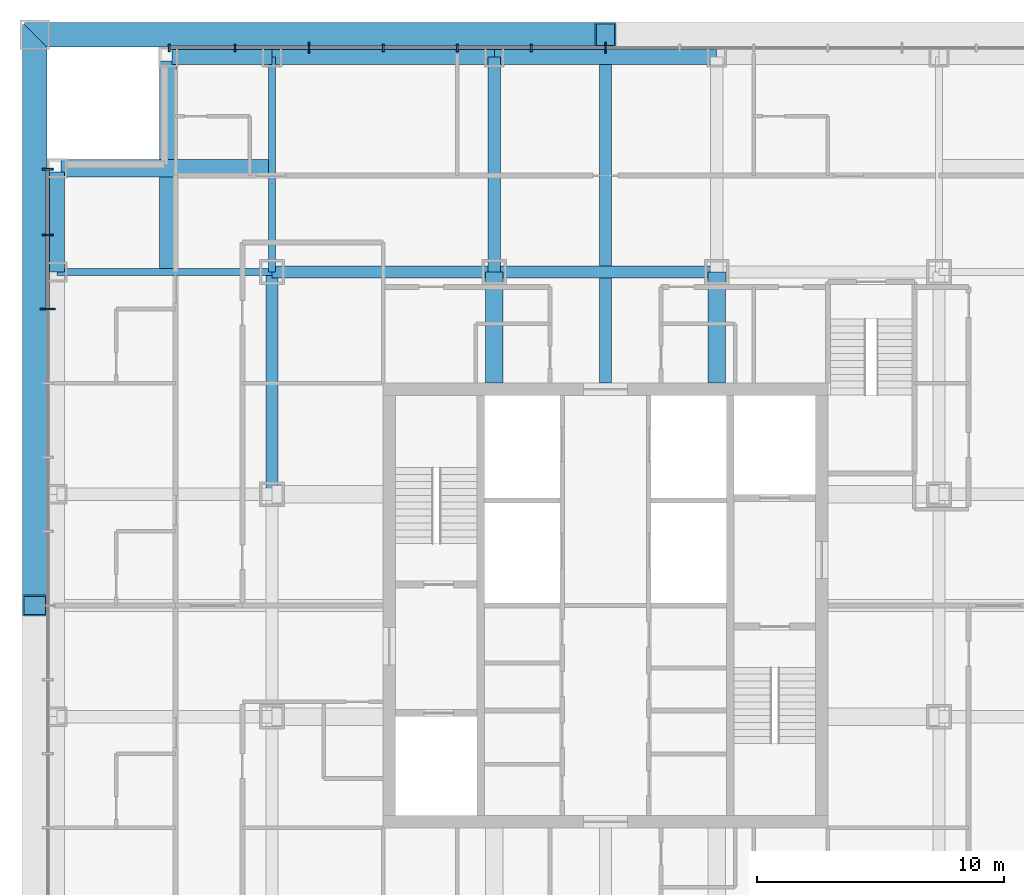
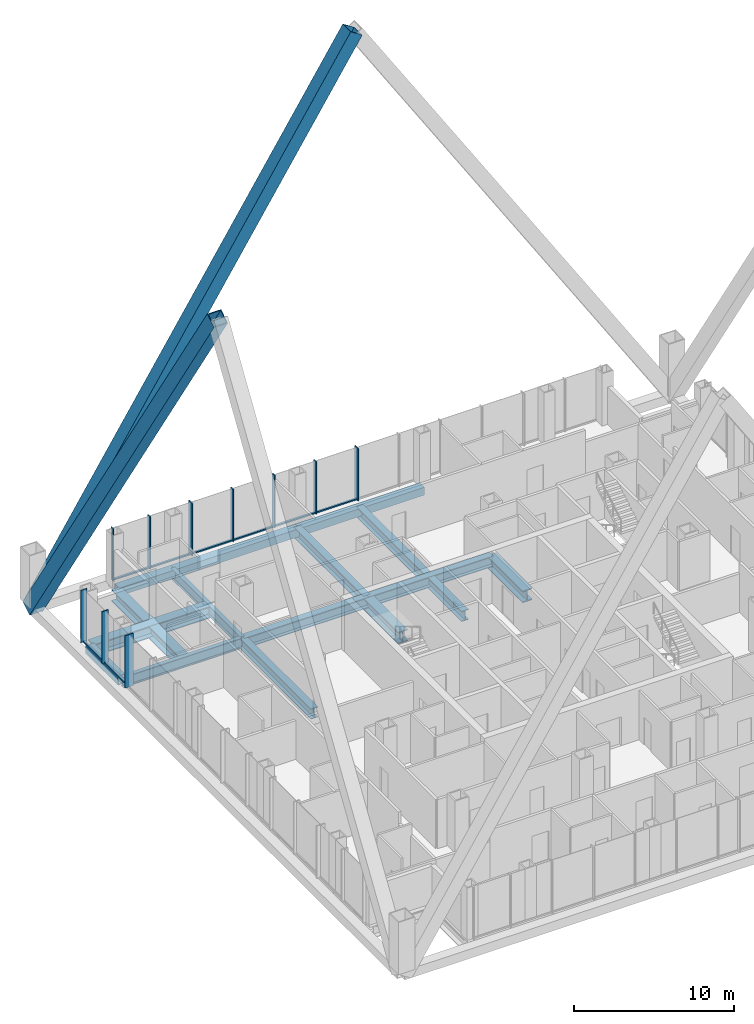
# One storey, part 7 of 16: 20 members, 15 beams, 2 elements without a shape of their own.
"""IFC4 building model written with IfcOpenShell, lengths in metres."""

from ifc_helpers import new_model, si_unit, direction, frame, origin, origin_2d, place, context, subcontext, project, spatial, rectangle, hollow_rectangle, i_section, extrude, material, layer, layer_set, material_profile, profile_set, type_object, element, aggregate, save


model = new_model("IFC4")

# Units and contexts
model_context = context("Model", 3, precision=1e-05, world=origin(), true_north=direction((0.0, 1.0)))
body_context = subcontext(model_context, "Body", "Model", "MODEL_VIEW")
ifc_project = project(units=[si_unit("LENGTHUNIT", "METRE"), si_unit("AREAUNIT", "SQUARE_METRE"), si_unit("VOLUMEUNIT", "CUBIC_METRE"), si_unit("PLANEANGLEUNIT", "RADIAN"), si_unit("MASSUNIT", "GRAM", prefix="KILO")], contexts=[model_context])

# Site, building, storey
site_placement = place(None, origin())
site = spatial("IfcSite", under=ifc_project, at=site_placement, CompositionType="ELEMENT")
building_placement = place(site_placement, origin())
building = spatial("IfcBuilding", under=site, at=building_placement, Name="Malebo Sky Hospital", CompositionType="ELEMENT")
storey_placement = place(building_placement, frame((0.0, 0.0, 209.0)))
storey = spatial("IfcBuildingStorey", under=building, at=storey_placement, Name="L50", CompositionType="ELEMENT", Elevation=209.0)

# Curtain wall, members
ifc_material_1 = material(Name="Anodised aluminium, natural silver", Category="aluminium")
ifc_layer_1 = layer(ifc_material_1, 0.25)
ifc_layer_set_1 = layer_set([ifc_layer_1], Name="WARD CURTAIN WALL NORTH AND SOUTH")
curtain_wall_type_1 = type_object("IfcCurtainWallType", Name="WARD CURTAIN WALL NORTH AND SOUTH", PredefinedType="NOTDEFINED", material=ifc_layer_set_1)
curtain_wall_1_placement = place(storey_placement, origin())
curtain_wall_1 = element("IfcCurtainWall", 1, at=curtain_wall_1_placement, inside=storey, type_object=curtain_wall_type_1, Name="NS curtain wall N", PredefinedType="NOTDEFINED")
ifc_material_profile_1 = material_profile(ifc_material_1, rectangle(XDim=0.14990234375, YDim=0.10009765625, at=origin_2d()), Name="ALUMINIUM TRANSOM 150x100")
ifc_profile_set_1 = profile_set([ifc_material_profile_1], Name="Anodised aluminium, natural silver")
member_type_1 = type_object("IfcMemberType", Name="ALUMINIUM TRANSOM 150x100", PredefinedType="USERDEFINED", material=ifc_profile_set_1)
member_1_placement = place(storey_placement, frame((42.375, 84.574951171875, 0.050048828125), z_axis=(1.0, 0.0, 0.0), x_axis=(0.0, 1.0, 0.0)))
member_1 = element("IfcMember", 2, at=member_1_placement, type_object=member_type_1, Name="Transom 1", ObjectType="TRANSOM", PredefinedType="USERDEFINED", context=body_context, shape_type="SweptSolid", body=[
    extrude(rectangle(XDim=0.14990234375, YDim=0.10009765625, at=origin_2d()), origin(), (0.0, 0.0, 1.0), 2.58740234375),
])
member_2_placement = place(storey_placement, frame((45.03759765625, 84.574951171875, 0.050048828125), z_axis=(1.0, 0.0, 0.0), x_axis=(0.0, 1.0, 0.0)))
member_2 = element("IfcMember", 3, at=member_2_placement, type_object=member_type_1, Name="Transom 2", ObjectType="TRANSOM", PredefinedType="USERDEFINED", context=body_context, shape_type="SweptSolid", body=[
    extrude(rectangle(XDim=0.14990234375, YDim=0.10009765625, at=origin_2d()), origin(), (0.0, 0.0, 1.0), 2.9248046875),
])
member_3_placement = place(storey_placement, frame((48.03759765625, 84.574951171875, 0.050048828125), z_axis=(1.0, 0.0, 0.0), x_axis=(0.0, 1.0, 0.0)))
member_3 = element("IfcMember", 4, at=member_3_placement, type_object=member_type_1, Name="Transom 3", ObjectType="TRANSOM", PredefinedType="USERDEFINED", context=body_context, shape_type="SweptSolid", body=[
    extrude(rectangle(XDim=0.14990234375, YDim=0.10009765625, at=origin_2d()), origin(), (0.0, 0.0, 1.0), 2.9248046875),
])
member_4_placement = place(storey_placement, frame((51.03759765625, 84.574951171875, 0.050048828125), z_axis=(1.0, 0.0, 0.0), x_axis=(0.0, 1.0, 0.0)))
member_4 = element("IfcMember", 5, at=member_4_placement, type_object=member_type_1, Name="Transom 4", ObjectType="TRANSOM", PredefinedType="USERDEFINED", context=body_context, shape_type="SweptSolid", body=[
    extrude(rectangle(XDim=0.14990234375, YDim=0.10009765625, at=origin_2d()), origin(), (0.0, 0.0, 1.0), 2.9248046875),
])
member_5_placement = place(storey_placement, frame((54.03759765625, 84.574951171875, 0.050048828125), z_axis=(1.0, 0.0, 0.0), x_axis=(0.0, 1.0, 0.0)))
member_5 = element("IfcMember", 6, at=member_5_placement, type_object=member_type_1, Name="Transom 5", ObjectType="TRANSOM", PredefinedType="USERDEFINED", context=body_context, shape_type="SweptSolid", body=[
    extrude(rectangle(XDim=0.14990234375, YDim=0.10009765625, at=origin_2d()), origin(), (0.0, 0.0, 1.0), 2.9248046875),
])
member_6_placement = place(storey_placement, frame((57.03759765625, 84.574951171875, 0.050048828125), z_axis=(1.0, 0.0, 0.0), x_axis=(0.0, 1.0, 0.0)))
member_6 = element("IfcMember", 7, at=member_6_placement, type_object=member_type_1, Name="Transom 6", ObjectType="TRANSOM", PredefinedType="USERDEFINED", context=body_context, shape_type="SweptSolid", body=[
    extrude(rectangle(XDim=0.14990234375, YDim=0.10009765625, at=origin_2d()), origin(), (0.0, 0.0, 1.0), 2.9248046875),
])

ifc_layer_2 = layer(ifc_material_1, 0.25)
ifc_layer_set_2 = layer_set([ifc_layer_2], Name="WARD CURTAIN WALL EAST AND WEST")
curtain_wall_type_2 = type_object("IfcCurtainWallType", Name="WARD CURTAIN WALL EAST AND WEST", PredefinedType="NOTDEFINED", material=ifc_layer_set_2)
curtain_wall_2_placement = place(storey_placement, origin())
curtain_wall_2 = element("IfcCurtainWall", 8, at=curtain_wall_2_placement, inside=storey, type_object=curtain_wall_type_2, Name="EW curtain wall W", PredefinedType="NOTDEFINED")
member_7_placement = place(storey_placement, frame((37.425048828125, 74.03759765625, 0.050048828125), z_axis=(0.0, 1.0, 0.0), x_axis=(-1.0, 0.0, 0.0)))
member_7 = element("IfcMember", 9, at=member_7_placement, type_object=member_type_1, Name="Transom 11", ObjectType="TRANSOM", PredefinedType="USERDEFINED", context=body_context, shape_type="SweptSolid", body=[
    extrude(rectangle(XDim=0.14990234375, YDim=0.10009765625, at=origin_2d()), origin(), (0.0, 0.0, 1.0), 2.9248046875),
])
member_8_placement = place(storey_placement, frame((37.425048828125, 77.03759765625, 0.050048828125), z_axis=(0.0, 1.0, 0.0), x_axis=(-1.0, 0.0, 0.0)))
member_8 = element("IfcMember", 10, at=member_8_placement, type_object=member_type_1, Name="Transom 12", ObjectType="TRANSOM", PredefinedType="USERDEFINED", context=body_context, shape_type="SweptSolid", body=[
    extrude(rectangle(XDim=0.14990234375, YDim=0.10009765625, at=origin_2d()), origin(), (0.0, 0.0, 1.0), 2.58740234375),
])

# Member
ifc_material_profile_2 = material_profile(ifc_material_1, rectangle(XDim=0.074951171875, YDim=0.300048828125, at=origin_2d()), Name="CW1 ALUMINIUM FIN MULLION 75x300")
ifc_profile_set_2 = profile_set([ifc_material_profile_2], Name="Anodised aluminium, natural silver")
member_type_2 = type_object("IfcMemberType", Name="CW1 ALUMINIUM FIN MULLION 75x300", PredefinedType="MULLION", material=ifc_profile_set_2)
member_9_placement = place(storey_placement, frame((42.33740234375, 84.574951171875, 0.0), z_axis=(0.0, 0.0, 1.0), x_axis=(1.0, 0.0, 0.0)))
member_9 = element("IfcMember", 11, at=member_9_placement, type_object=member_type_2, Name="Fin mullion 1", PredefinedType="MULLION", context=body_context, shape_type="SweptSolid", body=[
    extrude(rectangle(XDim=0.074951171875, YDim=0.300048828125, at=origin_2d()), origin(), (0.0, 0.0, 1.0), 4.0),
])

member_10_placement = place(storey_placement, frame((45.0, 84.574951171875, 0.0), z_axis=(0.0, 0.0, 1.0), x_axis=(1.0, 0.0, 0.0)))
member_10 = element("IfcMember", 12, at=member_10_placement, type_object=member_type_2, Name="Fin mullion 2", PredefinedType="MULLION", context=body_context, shape_type="SweptSolid", body=[
    extrude(rectangle(XDim=0.074951171875, YDim=0.300048828125, at=origin_2d()), origin(), (0.0, 0.0, 1.0), 4.0),
])

member_11_placement = place(storey_placement, frame((51.0, 84.574951171875, 0.0), z_axis=(0.0, 0.0, 1.0), x_axis=(1.0, 0.0, 0.0)))
member_11 = element("IfcMember", 13, at=member_11_placement, type_object=member_type_2, Name="Fin mullion 4", PredefinedType="MULLION", context=body_context, shape_type="SweptSolid", body=[
    extrude(rectangle(XDim=0.074951171875, YDim=0.300048828125, at=origin_2d()), origin(), (0.0, 0.0, 1.0), 4.0),
])

member_12_placement = place(storey_placement, frame((54.0, 84.574951171875, 0.0), z_axis=(0.0, 0.0, 1.0), x_axis=(1.0, 0.0, 0.0)))
member_12 = element("IfcMember", 14, at=member_12_placement, type_object=member_type_2, Name="Fin mullion 5", PredefinedType="MULLION", context=body_context, shape_type="SweptSolid", body=[
    extrude(rectangle(XDim=0.074951171875, YDim=0.300048828125, at=origin_2d()), origin(), (0.0, 0.0, 1.0), 4.0),
])

member_13_placement = place(storey_placement, frame((57.0, 84.574951171875, 0.0), z_axis=(0.0, 0.0, 1.0), x_axis=(1.0, 0.0, 0.0)))
member_13 = element("IfcMember", 15, at=member_13_placement, type_object=member_type_2, Name="Fin mullion 6", PredefinedType="MULLION", context=body_context, shape_type="SweptSolid", body=[
    extrude(rectangle(XDim=0.074951171875, YDim=0.300048828125, at=origin_2d()), origin(), (0.0, 0.0, 1.0), 4.0),
])

ifc_material_profile_3 = material_profile(ifc_material_1, rectangle(XDim=0.074951171875, YDim=0.449951171875, at=origin_2d()), Name="CW1 ALUMINIUM FIN MULLION 75x450")
ifc_profile_set_3 = profile_set([ifc_material_profile_3], Name="Anodised aluminium, natural silver")
member_type_3 = type_object("IfcMemberType", Name="CW1 ALUMINIUM FIN MULLION 75x450", PredefinedType="MULLION", material=ifc_profile_set_3)
member_14_placement = place(storey_placement, frame((48.0, 84.574951171875, 0.0), z_axis=(0.0, 0.0, 1.0), x_axis=(1.0, 0.0, 0.0)))
member_14 = element("IfcMember", 16, at=member_14_placement, type_object=member_type_3, Name="Fin mullion 3", PredefinedType="MULLION", context=body_context, shape_type="SweptSolid", body=[
    extrude(rectangle(XDim=0.074951171875, YDim=0.449951171875, at=origin_2d()), origin(), (0.0, 0.0, 1.0), 4.0),
])

member_15_placement = place(storey_placement, frame((60.0, 84.574951171875, 0.0), z_axis=(0.0, 0.0, 1.0), x_axis=(1.0, 0.0, 0.0)))
member_15 = element("IfcMember", 17, at=member_15_placement, type_object=member_type_3, Name="Fin mullion 7", PredefinedType="MULLION", context=body_context, shape_type="SweptSolid", body=[
    extrude(rectangle(XDim=0.074951171875, YDim=0.449951171875, at=origin_2d()), origin(), (0.0, 0.0, 1.0), 4.0),
])

aggregate(curtain_wall_1, [member_9, member_10, member_14, member_11, member_12, member_13, member_15, member_1, member_2, member_3, member_4, member_5, member_6])

ifc_material_profile_4 = material_profile(ifc_material_1, rectangle(XDim=0.074951171875, YDim=0.449951171875, at=origin_2d()), Name="CW2 ALUMINIUM FIN MULLION 75x450")
ifc_profile_set_4 = profile_set([ifc_material_profile_4], Name="Anodised aluminium, natural silver")
member_type_4 = type_object("IfcMemberType", Name="CW2 ALUMINIUM FIN MULLION 75x450", PredefinedType="MULLION", material=ifc_profile_set_4)
member_16_placement = place(storey_placement, frame((37.425048828125, 77.0, 0.0), z_axis=(0.0, 0.0, 1.0), x_axis=(0.0, 1.0, 0.0)))
member_16 = element("IfcMember", 18, at=member_16_placement, type_object=member_type_4, Name="Fin mullion 12", PredefinedType="MULLION", context=body_context, shape_type="SweptSolid", body=[
    extrude(rectangle(XDim=0.074951171875, YDim=0.449951171875, at=origin_2d()), origin(), (0.0, 0.0, 1.0), 4.0),
])

member_17_placement = place(storey_placement, frame((37.425048828125, 79.66259765625, 0.0), z_axis=(0.0, 0.0, 1.0), x_axis=(0.0, 1.0, 0.0)))
member_17 = element("IfcMember", 19, at=member_17_placement, type_object=member_type_4, Name="Fin mullion 13", PredefinedType="MULLION", context=body_context, shape_type="SweptSolid", body=[
    extrude(rectangle(XDim=0.074951171875, YDim=0.449951171875, at=origin_2d()), origin(), (0.0, 0.0, 1.0), 4.0),
])

ifc_material_profile_5 = material_profile(ifc_material_1, rectangle(XDim=0.074951171875, YDim=0.60009765625, at=origin_2d()), Name="CW2 ALUMINIUM FIN MULLION 75x600")
ifc_profile_set_5 = profile_set([ifc_material_profile_5], Name="Anodised aluminium, natural silver")
member_type_5 = type_object("IfcMemberType", Name="CW2 ALUMINIUM FIN MULLION 75x600", PredefinedType="MULLION", material=ifc_profile_set_5)
member_18_placement = place(storey_placement, frame((37.425048828125, 74.0, 0.0), z_axis=(0.0, 0.0, 1.0), x_axis=(0.0, 1.0, 0.0)))
member_18 = element("IfcMember", 20, at=member_18_placement, type_object=member_type_5, Name="Fin mullion 11", PredefinedType="MULLION", context=body_context, shape_type="SweptSolid", body=[
    extrude(rectangle(XDim=0.074951171875, YDim=0.60009765625, at=origin_2d()), origin(), (0.0, 0.0, 1.0), 4.0),
])

aggregate(curtain_wall_2, [member_18, member_16, member_17, member_7, member_8])

# Beams
ifc_material_2 = material(Name="Steel S460", Category="steel")
ifc_material_profile_6 = material_profile(ifc_material_2, hollow_rectangle(XDim=0.60009765625, YDim=0.60009765625, WallThickness=0.0400390625, at=origin_2d()), Name="BOX 600x600x40")
ifc_profile_set_6 = profile_set([ifc_material_profile_6], Name="Steel S460")
beam_type_1 = type_object("IfcBeamType", Name="EDGE BEAM BOX 600x600x40", PredefinedType="BEAM", material=ifc_profile_set_6)
for number, where, z_axis, x_axis, name in (
    (21, (37.800048828125, 75.5, -0.550048828125), (0.0, 1.0, 0.0), (-1.0, 0.0, 0.0), "Beam 004 L50"),
    (22, (42.449951171875, 84.199951171875, -0.550048828125), (1.0, 0.0, 0.0), (0.0, 1.0, 0.0), "Beam 063 L50"),
):
    element("IfcBeam", number, at=place(storey_placement, frame(where, z_axis=z_axis, x_axis=x_axis)), inside=storey, type_object=beam_type_1, Name=name, PredefinedType="BEAM", context=body_context, shape_type="SweptSolid", body=[
        extrude(hollow_rectangle(XDim=0.60009765625, YDim=0.60009765625, WallThickness=0.0400390625, at=origin_2d()), origin(), (0.0, 0.0, 1.0), 4.050048828125),
    ])
for number, where, z_axis, x_axis, name in (
    (23, (46.5, 84.199951171875, -0.550048828125), (1.0, 0.0, 0.0), (0.0, 1.0, 0.0), "Beam 064 L50"),
    (24, (55.5, 84.199951171875, -0.550048828125), (1.0, 0.0, 0.0), (0.0, 1.0, 0.0), "Beam 065 L50"),
):
    element("IfcBeam", number, at=place(storey_placement, frame(where, z_axis=z_axis, x_axis=x_axis)), inside=storey, type_object=beam_type_1, Name=name, PredefinedType="BEAM", context=body_context, shape_type="SweptSolid", body=[
        extrude(hollow_rectangle(XDim=0.60009765625, YDim=0.60009765625, WallThickness=0.0400390625, at=origin_2d()), origin(), (0.0, 0.0, 1.0), 9.0),
    ])
ifc_material_3 = material(Name="Steel S355", Category="steel")
ifc_material_profile_7 = material_profile(ifc_material_3, i_section(OverallWidth=0.5, OverallDepth=0.800048828125, WebThickness=0.030029296875, FlangeThickness=0.050048828125, at=origin_2d()), Name="PG 800x500x30x50")
ifc_profile_set_7 = profile_set([ifc_material_profile_7], Name="Steel S355")
beam_type_2 = type_object("IfcBeamType", Name="FLOOR BEAM PG 800x500x30x50", PredefinedType="BEAM", material=ifc_profile_set_7)
beam_1_placement = place(storey_placement, frame((46.5, 66.5, -0.64990234375), z_axis=(0.0, 1.0, 0.0), x_axis=(-1.0, 0.0, 0.0)))
element("IfcBeam", 25, at=beam_1_placement, inside=storey, type_object=beam_type_2, Name="Beam 010 L50", PredefinedType="BEAM", context=body_context, shape_type="SweptSolid", body=[
    extrude(i_section(OverallWidth=0.5, OverallDepth=0.800048828125, WebThickness=0.030029296875, FlangeThickness=0.050048828125, at=origin_2d()), origin(), (0.0, 0.0, 1.0), 9.0),
])
beam_2_placement = place(storey_placement, frame((55.5, 75.5, -0.64990234375), z_axis=(0.0, 1.0, 0.0), x_axis=(-1.0, 0.0, 0.0)))
element("IfcBeam", 26, at=beam_2_placement, inside=storey, type_object=beam_type_2, Name="Beam 015 L50", PredefinedType="BEAM", context=body_context, shape_type="SweptSolid", body=[
    extrude(i_section(OverallWidth=0.5, OverallDepth=0.800048828125, WebThickness=0.030029296875, FlangeThickness=0.050048828125, at=origin_2d()), origin(), (0.0, 0.0, 1.0), 8.699951171875),
])
beam_3_placement = place(storey_placement, frame((60.0, 71.0, -0.64990234375), z_axis=(0.0, 1.0, 0.0), x_axis=(-1.0, 0.0, 0.0)))
element("IfcBeam", 27, at=beam_3_placement, inside=storey, type_object=beam_type_2, Name="Beam 017 L50", PredefinedType="BEAM", context=body_context, shape_type="SweptSolid", body=[
    extrude(i_section(OverallWidth=0.5, OverallDepth=0.800048828125, WebThickness=0.030029296875, FlangeThickness=0.050048828125, at=origin_2d()), origin(), (0.0, 0.0, 1.0), 13.199951171875),
])
beam_4_placement = place(storey_placement, frame((46.5, 75.5, -0.64990234375), z_axis=(1.0, 0.0, 0.0), x_axis=(0.0, 1.0, 0.0)))
element("IfcBeam", 28, at=beam_4_placement, inside=storey, type_object=beam_type_2, Name="Beam 057 L50", PredefinedType="BEAM", context=body_context, shape_type="SweptSolid", body=[
    extrude(i_section(OverallWidth=0.5, OverallDepth=0.800048828125, WebThickness=0.030029296875, FlangeThickness=0.050048828125, at=origin_2d()), origin(), (0.0, 0.0, 1.0), 9.0),
])
ifc_material_profile_8 = material_profile(ifc_material_3, i_section(OverallWidth=0.699951171875, OverallDepth=0.89990234375, WebThickness=0.0400390625, FlangeThickness=0.070068359375, at=origin_2d()), Name="PG 900x700x40x70")
ifc_profile_set_8 = profile_set([ifc_material_profile_8], Name="Steel S355")
beam_type_3 = type_object("IfcBeamType", Name="FLOOR BEAM PG 900x700x40x70", PredefinedType="BEAM", material=ifc_profile_set_8)
beam_5_placement = place(storey_placement, frame((42.300048828125, 75.5, -0.699951171875), z_axis=(0.0, 1.0, 0.0), x_axis=(-1.0, 0.0, 0.0)))
element("IfcBeam", 29, at=beam_5_placement, inside=storey, type_object=beam_type_3, Name="Beam 006 L50", PredefinedType="BEAM", context=body_context, shape_type="SweptSolid", body=[
    extrude(i_section(OverallWidth=0.699951171875, OverallDepth=0.89990234375, WebThickness=0.0400390625, FlangeThickness=0.070068359375, at=origin_2d()), origin(), (0.0, 0.0, 1.0), 8.550048828125),
])
for number, where, z_axis, x_axis, name in (
    (30, (55.5, 71.0, -0.699951171875), (0.0, 1.0, 0.0), (-1.0, 0.0, 0.0), "Beam 014 L50"),
    (31, (64.5, 71.0, -0.699951171875), (0.0, 1.0, 0.0), (-1.0, 0.0, 0.0), "Beam 020 L50"),
):
    element("IfcBeam", number, at=place(storey_placement, frame(where, z_axis=z_axis, x_axis=x_axis)), inside=storey, type_object=beam_type_3, Name=name, PredefinedType="BEAM", context=body_context, shape_type="SweptSolid", body=[
        extrude(i_section(OverallWidth=0.699951171875, OverallDepth=0.89990234375, WebThickness=0.0400390625, FlangeThickness=0.070068359375, at=origin_2d()), origin(), (0.0, 0.0, 1.0), 4.5),
    ])
beam_6_placement = place(storey_placement, frame((37.949951171875, 79.699951171875, -0.699951171875), z_axis=(1.0, 0.0, 0.0), x_axis=(0.0, 1.0, 0.0)))
element("IfcBeam", 32, at=beam_6_placement, inside=storey, type_object=beam_type_3, Name="Beam 061 L50", PredefinedType="BEAM", context=body_context, shape_type="SweptSolid", body=[
    extrude(i_section(OverallWidth=0.699951171875, OverallDepth=0.89990234375, WebThickness=0.0400390625, FlangeThickness=0.070068359375, at=origin_2d()), origin(), (0.0, 0.0, 1.0), 8.550048828125),
])
ifc_material_profile_9 = material_profile(ifc_material_3, i_section(OverallWidth=0.300048828125, OverallDepth=0.800048828125, WebThickness=0.017578125, FlangeThickness=0.032958984375, FilletRadius=0.030029296875, at=origin_2d()), Name="HEB 800")
ifc_profile_set_9 = profile_set([ifc_material_profile_9], Name="Steel S355")
beam_type_4 = type_object("IfcBeamType", Name="FLOOR GIRDER HEB 800", PredefinedType="BEAM", material=ifc_profile_set_9)
for number, where, z_axis, x_axis, name in (
    (33, (46.5, 75.5, -0.64990234375), (0.0, 1.0, 0.0), (-1.0, 0.0, 0.0), "Beam 011 L50"),
    (34, (37.800048828125, 75.5, -0.64990234375), (1.0, 0.0, 0.0), (0.0, 1.0, 0.0), "Beam 056 L50"),
):
    element("IfcBeam", number, at=place(storey_placement, frame(where, z_axis=z_axis, x_axis=x_axis)), inside=storey, type_object=beam_type_4, Name=name, PredefinedType="BEAM", context=body_context, shape_type="SweptSolid", body=[
        extrude(i_section(OverallWidth=0.300048828125, OverallDepth=0.800048828125, WebThickness=0.017578125, FlangeThickness=0.032958984375, FilletRadius=0.030029296875, at=origin_2d()), origin(), (0.0, 0.0, 1.0), 8.699951171875),
    ])

# Members
ifc_material_profile_10 = material_profile(ifc_material_2, hollow_rectangle(XDim=1.0, YDim=1.0, WallThickness=0.06005859375, at=origin_2d()), Name="BOX 1000x1000x60")
ifc_profile_set_10 = profile_set([ifc_material_profile_10], Name="Steel S460")
member_type_6 = type_object("IfcMemberType", Name="MEGA BRACE BOX 1000x1000x60", PredefinedType="BRACE", material=ifc_profile_set_10)
for number, where, z_axis, x_axis, name in (
    (35, (36.89990234375, 85.10009765625, -0.39990234375), (0.540050058877, 0.0, 0.841632897353), (0.0, 1.0, 0.0), "Mega brace C2N2 L50-L59"),
    (36, (36.89990234375, 85.10009765625, -0.39990234375), (0.0, -0.540050058877, 0.841632897353), (1.0, 0.0, 0.0), "Mega brace C2W1 L50-L59"),
):
    element("IfcMember", number, at=place(storey_placement, frame(where, z_axis=z_axis, x_axis=x_axis)), inside=storey, type_object=member_type_6, Name=name, PredefinedType="BRACE", context=body_context, shape_type="SweptSolid", body=[
        extrude(hollow_rectangle(XDim=1.0, YDim=1.0, WallThickness=0.06005859375, at=origin_2d()), origin(), (0.0, 0.0, 1.0), 42.77392578125),
    ])

# Beam
ifc_material_profile_11 = material_profile(ifc_material_3, i_section(OverallWidth=0.5, OverallDepth=0.800048828125, WebThickness=0.030029296875, FlangeThickness=0.050048828125, at=origin_2d()), Name="PG 800x500x30x50")
ifc_profile_set_11 = profile_set([ifc_material_profile_11], Name="Steel S355")
beam_type_5 = type_object("IfcBeamType", Name="RING GIRDER PG 800x500x30x50", PredefinedType="BEAM", material=ifc_profile_set_11)
beam_7_placement = place(storey_placement, frame((55.5, 75.5, -0.64990234375), z_axis=(1.0, 0.0, 0.0), x_axis=(0.0, 1.0, 0.0)))
element("IfcBeam", 37, at=beam_7_placement, inside=storey, type_object=beam_type_5, Name="Beam 058 L50", PredefinedType="BEAM", context=body_context, shape_type="SweptSolid", body=[
    extrude(i_section(OverallWidth=0.5, OverallDepth=0.800048828125, WebThickness=0.030029296875, FlangeThickness=0.050048828125, at=origin_2d()), origin(), (0.0, 0.0, 1.0), 9.0),
])

save(model, "model.ifc")
